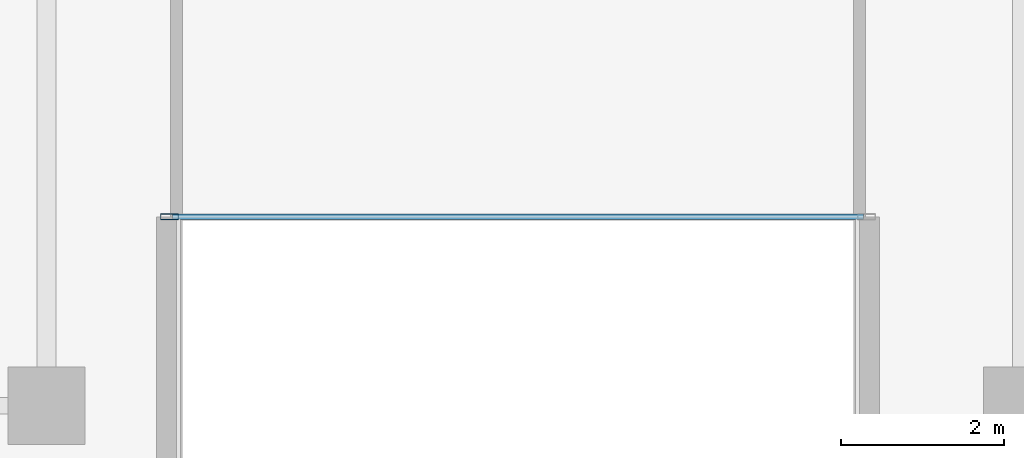
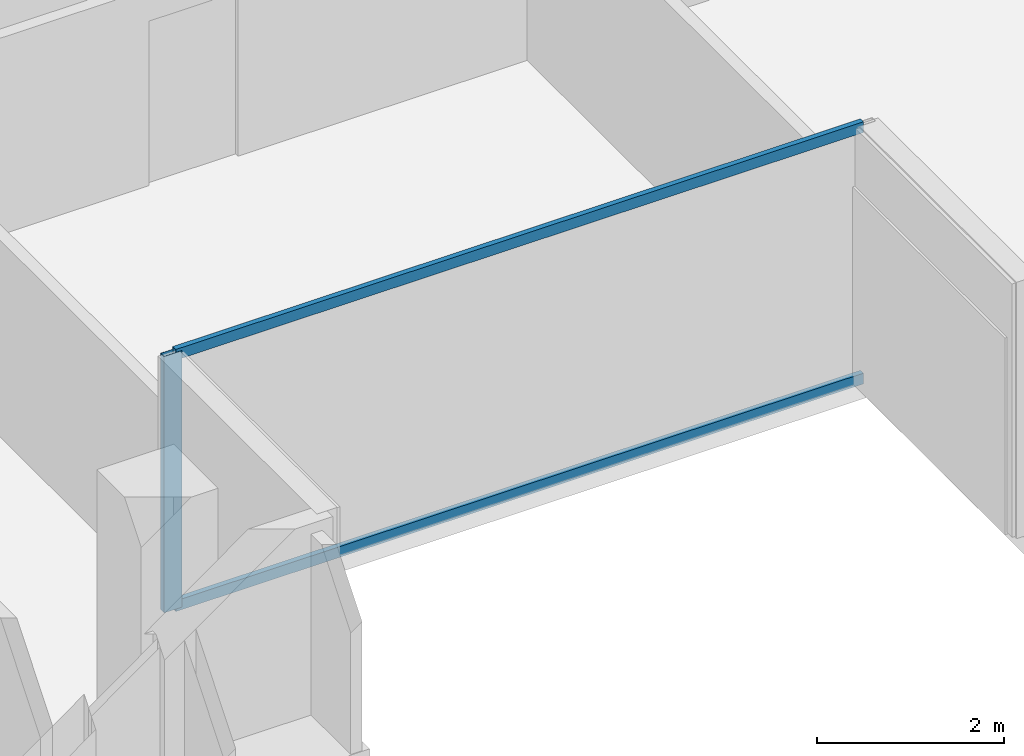
# One storey, part 2 of 23: 3 members, 1 element without a shape of its own.
"""IFC4 building model written with IfcOpenShell, lengths in metres."""

import ifcopenshell
import ifcopenshell.guid

model = None  # the IFC model being written
_history = None  # IfcOwnerHistory: only IFC2X3 demands one
_inside = {}  # id of a spatial element -> (the spatial element, [elements in it])
_under = {}  # id of a project, library or spatial element -> (it, [spatial elements below it])
_declared = {}  # id of a project -> (the project, [libraries it declares])
_typed = {}  # id of a type object -> (the type object, [elements of that type])
_made_of = {}  # id of a material, layer set ... -> (it, [elements and type objects made of it])


def new_model(schema):
    """Start an empty IFC model of exactly this schema.

    Asked for "IFC4X3", IfcOpenShell would pick the latest addendum, in which some entities
    have other attributes; the version numbers below select the first issue.
    IFC2X3 requires an IfcOwnerHistory on every rooted entity: one is made here for all.
    """
    global model, _history
    if schema == "IFC4X3":
        model = ifcopenshell.file(schema_version=(4, 3, 0, 0))
    else:
        model = ifcopenshell.file(schema=schema)
    _inside.clear()
    _under.clear()
    _declared.clear()
    _typed.clear()
    _made_of.clear()
    _history = None
    if model.schema == "IFC2X3":
        org = make("IfcOrganization", Name="unknown")
        user = make(
            "IfcPersonAndOrganization",
            ThePerson=make("IfcPerson", FamilyName="unknown"),
            TheOrganization=org,
        )
        app = make(
            "IfcApplication",
            ApplicationDeveloper=org,
            Version="unknown",
            ApplicationFullName="unknown",
            ApplicationIdentifier="unknown",
        )
        _history = make(
            "IfcOwnerHistory",
            OwningUser=user,
            OwningApplication=app,
            ChangeAction="ADDED",
            CreationDate=0,
        )
    return model


def make(cls, **values):
    """One entity of the class cls with the attributes given. An attribute that is None is left unset."""
    return model.create_entity(
        cls, **{name: value for name, value in values.items() if value is not None}
    )


def rooted(cls, **values):
    """An entity with a GlobalId (a new one), such as an element, a storey or a relation."""
    return make(cls, GlobalId=ifcopenshell.guid.new(), OwnerHistory=_history, **values)


def si_unit(unit_type, name, prefix=None):
    """IfcSIUnit, for example si_unit("LENGTHUNIT", "METRE", prefix="MILLI")."""
    return make("IfcSIUnit", UnitType=unit_type, Prefix=prefix, Name=name)


def assignment(units):
    """IfcUnitAssignment: the units of a project."""
    return None if units is None else make("IfcUnitAssignment", Units=units)


def point(xyz):
    """IfcCartesianPoint."""
    return None if xyz is None else make("IfcCartesianPoint", Coordinates=xyz)


def direction(xyz):
    """IfcDirection."""
    return None if xyz is None else make("IfcDirection", DirectionRatios=xyz)


def frame(location, z_axis=None, x_axis=None):
    """IfcAxis2Placement3D, a coordinate frame: its origin and axes. An axis left out is left unset."""
    return make(
        "IfcAxis2Placement3D",
        Location=point(location),
        Axis=direction(z_axis),
        RefDirection=direction(x_axis),
    )


def frame_2d(location, x_axis=None):
    """IfcAxis2Placement2D, a coordinate frame in the plane: its origin and x axis."""
    return make(
        "IfcAxis2Placement2D", Location=point(location), RefDirection=direction(x_axis)
    )


def origin():
    """The frame at (0, 0, 0) with its axes left unset."""
    return frame((0.0, 0.0, 0.0))


def origin_2d():
    """The frame at (0, 0) in the plane with its x axis left unset."""
    return frame_2d((0.0, 0.0))


def place(relative_to, where):
    """IfcLocalPlacement: puts the frame where relative to a parent placement (None: the world)."""
    return make(
        "IfcLocalPlacement", PlacementRelTo=relative_to, RelativePlacement=where
    )


def context(
    kind, dimensions, precision=None, world=None, true_north=None, identifier=None
):
    """IfcGeometricRepresentationContext, for example the 3D "Model" context."""
    return make(
        "IfcGeometricRepresentationContext",
        ContextIdentifier=identifier,
        ContextType=kind,
        CoordinateSpaceDimension=dimensions,
        Precision=precision,
        WorldCoordinateSystem=world,
        TrueNorth=true_north,
    )


def subcontext(parent, identifier, kind, view, scale=None):
    """IfcGeometricRepresentationSubContext, for example "Body" below "Model"."""
    return make(
        "IfcGeometricRepresentationSubContext",
        ContextIdentifier=identifier,
        ContextType=kind,
        ParentContext=parent,
        TargetScale=scale,
        TargetView=view,
    )


def project(units=None, contexts=None):
    """IfcProject with its units and contexts."""
    return rooted(
        "IfcProject",
        Name="project",
        RepresentationContexts=contexts,
        UnitsInContext=assignment(units),
    )


def spatial(cls, under=None, at=None, **own):
    """A site, building, storey or space (cls), placed at a placement, below another one or the project."""
    s = rooted(cls, ObjectPlacement=at, **own)
    if under is not None:
        _under.setdefault(under.id(), (under, []))[1].append(s)
    return s


def profile(cls, at=None, kind="AREA", **sizes):
    """A parametric profile (cls). Its sizes go by their IFC names, for example OverallWidth=200.0."""
    return make(cls, ProfileType=kind, Position=at, **sizes)


def hollow_rectangle(**sizes):
    """IfcRectangleHollowProfileDef."""
    return profile("IfcRectangleHollowProfileDef", **sizes)


def extrude(swept, where, along, depth):
    """IfcExtrudedAreaSolid: the profile swept, set in the frame where, extruded along a direction by depth."""
    return make(
        "IfcExtrudedAreaSolid",
        SweptArea=swept,
        Position=where,
        ExtrudedDirection=direction(along),
        Depth=depth,
    )


def shape(context_of_items, identifier, shape_type, items):
    """IfcShapeRepresentation: the items that make up one representation, for example the "Body"."""
    return make(
        "IfcShapeRepresentation",
        ContextOfItems=context_of_items,
        RepresentationIdentifier=identifier,
        RepresentationType=shape_type,
        Items=items,
    )


def material(Name=None, Category=None):
    """IfcMaterial."""
    return make("IfcMaterial", Name=Name, Category=Category)


def layer(
    of_material, thickness, ventilated=None, Name=None, Category=None, Priority=None
):
    """IfcMaterialLayer: one layer of a wall or slab, of a material (None: an air gap)."""
    return make(
        "IfcMaterialLayer",
        Material=of_material,
        LayerThickness=thickness,
        IsVentilated=ventilated,
        Name=Name,
        Category=Category,
        Priority=Priority,
    )


def layer_set(layers, Name=None):
    """IfcMaterialLayerSet."""
    return make("IfcMaterialLayerSet", MaterialLayers=layers, LayerSetName=Name)


def material_profile(
    of_material, cross_section, Name=None, Category=None, Priority=None
):
    """IfcMaterialProfile: a cross section and its material."""
    return make(
        "IfcMaterialProfile",
        Name=Name,
        Material=of_material,
        Profile=cross_section,
        Priority=Priority,
        Category=Category,
    )


def profile_set(profiles, Name=None, composite=None):
    """IfcMaterialProfileSet."""
    return make(
        "IfcMaterialProfileSet",
        Name=Name,
        MaterialProfiles=profiles,
        CompositeProfile=composite,
    )


def made_of(thing, what):
    """Note that an element or type object is made of a material, layer set ...; save() writes the relation."""
    if what is not None:
        _made_of.setdefault(what.id(), (what, []))[1].append(thing)
    return thing


def type_object(cls, material=None, **own):
    """A type object (cls), such as IfcWallType, which elements share."""
    return made_of(rooted(cls, **own), material)


def element(
    cls,
    number,
    at=None,
    inside=None,
    cuts=None,
    type_object=None,
    material=None,
    context=None,
    identifier="Body",
    shape_type=None,
    held_by="IfcProductDefinitionShape",
    body=None,
    shapes=None,
    **own,
):
    """One element of the class cls, such as IfcWall. Its Tag is "e" and its number.

    at: its placement. inside: the storey or other place that contains it. cuts: it is an
    opening in that element (IfcRelVoidsElement). A single representation is given by context,
    identifier, shape_type and body (its items); several are given by shapes. held_by: the class
    of the entity that holds the representations. save() writes the other relations.
    """
    e = rooted(cls, Tag="e%d" % number, ObjectPlacement=at, **own)
    if body is not None:
        shapes = [shape(context, identifier, shape_type, body)]
    if shapes is not None:
        e.Representation = make(held_by, Representations=shapes)
    if inside is not None:
        _inside.setdefault(inside.id(), (inside, []))[1].append(e)
    if cuts is not None:
        rooted(
            "IfcRelVoidsElement", RelatingBuildingElement=cuts, RelatedOpeningElement=e
        )
    if type_object is not None:
        _typed.setdefault(type_object.id(), (type_object, []))[1].append(e)
    return made_of(e, material)


def aggregate(whole, parts):
    """IfcRelAggregates: a whole, such as a stair, and the parts it consists of."""
    return rooted("IfcRelAggregates", RelatingObject=whole, RelatedObjects=parts)


def save(model, path):
    """Write the relations noted so far, then the file.

    IfcRelAggregates (storeys below a building ...), IfcRelContainedInSpatialStructure (elements
    in a storey), IfcRelDefinesByType, IfcRelAssociatesMaterial and IfcRelDeclares: one each for
    every whole, place, type object, material and project.
    """
    for whole, parts in _under.values():
        aggregate(whole, parts)
    for where, things in _inside.values():
        rooted(
            "IfcRelContainedInSpatialStructure",
            RelatedElements=things,
            RelatingStructure=where,
        )
    for kind, things in _typed.values():
        rooted("IfcRelDefinesByType", RelatedObjects=things, RelatingType=kind)
    for what, things in _made_of.values():
        rooted("IfcRelAssociatesMaterial", RelatedObjects=things, RelatingMaterial=what)
    for by, libraries in _declared.values():
        rooted("IfcRelDeclares", RelatingContext=by, RelatedDefinitions=libraries)
    model.write(path)


model = new_model("IFC4")

# Units and contexts
model_context = context("Model", 3, precision=1e-05, world=origin(), true_north=direction((0.0, 1.0)))
body_context = subcontext(model_context, "Body", "Model", "MODEL_VIEW")
ifc_project = project(units=[si_unit("LENGTHUNIT", "METRE"), si_unit("AREAUNIT", "SQUARE_METRE"), si_unit("VOLUMEUNIT", "CUBIC_METRE"), si_unit("PLANEANGLEUNIT", "RADIAN"), si_unit("MASSUNIT", "GRAM", prefix="KILO")], contexts=[model_context])

# Site, building, storey
site_placement = place(None, origin())
site = spatial("IfcSite", under=ifc_project, at=site_placement, CompositionType="ELEMENT")
building_placement = place(site_placement, origin())
building = spatial("IfcBuilding", under=site, at=building_placement, Name="Tanjung Sevakor Pilgrim Tower", CompositionType="ELEMENT")
storey_placement = place(building_placement, frame((0.0, 0.0, 119.4599609375)))
storey = spatial("IfcBuildingStorey", under=building, at=storey_placement, Name="L33", CompositionType="ELEMENT", Elevation=119.4599609375)

# Curtain wall, members
ifc_material_1 = material(Name="Aluminium 6063-T6 and Low-E Glass", Category="aluminium")
ifc_layer = layer(ifc_material_1, 0.179931640625)
ifc_layer_set = layer_set([ifc_layer], Name="CW-SYS-CLEFT")
curtain_wall_type = type_object("IfcCurtainWallType", Name="CW-SYS-CLEFT", PredefinedType="NOTDEFINED", material=ifc_layer_set)
curtain_wall_placement = place(storey_placement, origin())
curtain_wall = element("IfcCurtainWall", 1, at=curtain_wall_placement, inside=storey, type_object=curtain_wall_type, Name="L33 Curtain Wall CW-CLF-L33-2", PredefinedType="NOTDEFINED")
ifc_material_2 = material(Name="Aluminium 6063-T6", Category="aluminium")
ifc_material_profile_1 = material_profile(ifc_material_2, hollow_rectangle(XDim=0.074951171875, YDim=0.219970703125, WallThickness=0.0048828125, at=origin_2d()))
ifc_profile_set_1 = profile_set([ifc_material_profile_1], Name="Aluminium 6063-T6")
member_type_1 = type_object("IfcMemberType", Name="TYPE-CWM-2", PredefinedType="MULLION", material=ifc_profile_set_1)
member_1_placement = place(storey_placement, frame((43.512451171875, 13.125, 0.0), z_axis=(0.0, 0.0, 1.0), x_axis=(0.0, 1.0, 0.0)))
member_1 = element("IfcMember", 2, at=member_1_placement, type_object=member_type_1, Name="CW-CLF mullion 1", PredefinedType="MULLION", context=body_context, shape_type="SweptSolid", body=[
    extrude(hollow_rectangle(XDim=0.074951171875, YDim=0.219970703125, WallThickness=0.0048828125, at=origin_2d()), origin(), (0.0, 0.0, 1.0), 3.35009765625),
])
ifc_material_3 = material(Name="Aluminium 6063-T6", Category="aluminium")
ifc_material_profile_2 = material_profile(ifc_material_3, hollow_rectangle(XDim=0.06494140625, YDim=0.139892578125, WallThickness=0.00390625, at=origin_2d()))
ifc_profile_set_2 = profile_set([ifc_material_profile_2], Name="Aluminium 6063-T6")
member_type_2 = type_object("IfcMemberType", Name="TYPE-CWT-1", PredefinedType="USERDEFINED", material=ifc_profile_set_2)
member_2_placement = place(storey_placement, frame((43.550048828125, 13.125, 0.032470703125), z_axis=(1.0, 0.0, 0.0), x_axis=(0.0, 1.0, 0.0)))
member_2 = element("IfcMember", 3, at=member_2_placement, type_object=member_type_2, Name="CW-CLF transom 1.1", ObjectType="TRANSOM", PredefinedType="USERDEFINED", context=body_context, shape_type="SweptSolid", body=[
    extrude(hollow_rectangle(XDim=0.06494140625, YDim=0.139892578125, WallThickness=0.00390625, at=origin_2d()), origin(), (0.0, 0.0, 1.0), 8.5),
])
member_3_placement = place(storey_placement, frame((43.550048828125, 13.125, 3.317626953125), z_axis=(1.0, 0.0, 0.0), x_axis=(0.0, 1.0, 0.0)))
member_3 = element("IfcMember", 4, at=member_3_placement, type_object=member_type_2, Name="CW-CLF transom 1.2", ObjectType="TRANSOM", PredefinedType="USERDEFINED", context=body_context, shape_type="SweptSolid", body=[
    extrude(hollow_rectangle(XDim=0.06494140625, YDim=0.139892578125, WallThickness=0.00390625, at=origin_2d()), origin(), (0.0, 0.0, 1.0), 8.5),
])
aggregate(curtain_wall, [member_1, member_2, member_3])

save(model, "model.ifc")
